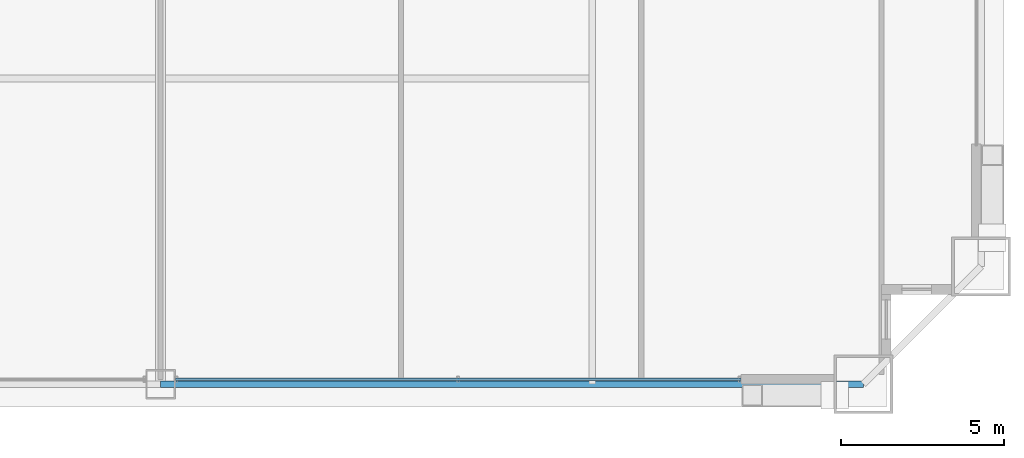
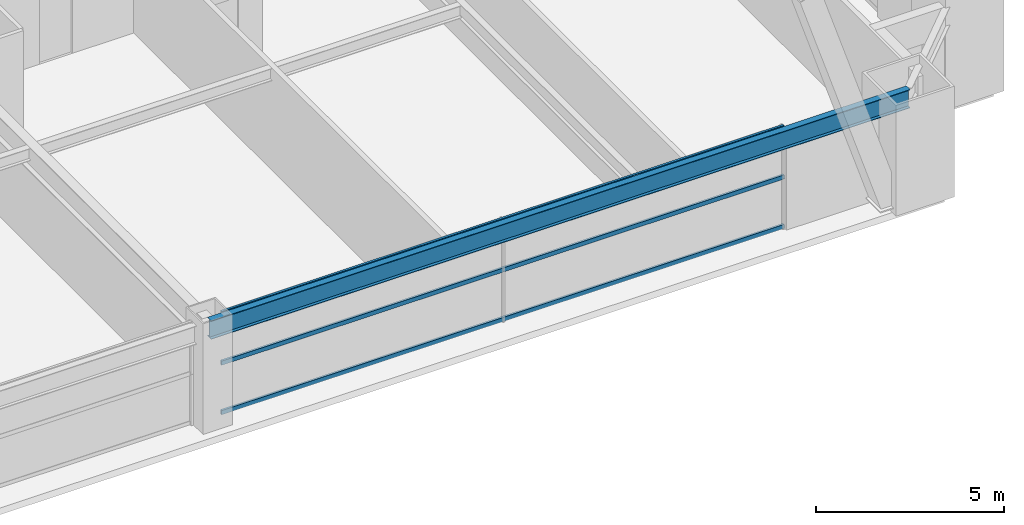
# One storey, part 14 of 43: 3 members, 1 beam, 1 element without a shape of its own.
"""IFC4 building model written with IfcOpenShell, lengths in metres."""

import ifcopenshell
import ifcopenshell.guid

model = None  # the IFC model being written
_history = None  # IfcOwnerHistory: only IFC2X3 demands one
_inside = {}  # id of a spatial element -> (the spatial element, [elements in it])
_under = {}  # id of a project, library or spatial element -> (it, [spatial elements below it])
_declared = {}  # id of a project -> (the project, [libraries it declares])
_typed = {}  # id of a type object -> (the type object, [elements of that type])
_made_of = {}  # id of a material, layer set ... -> (it, [elements and type objects made of it])


def new_model(schema):
    """Start an empty IFC model of exactly this schema.

    Asked for "IFC4X3", IfcOpenShell would pick the latest addendum, in which some entities
    have other attributes; the version numbers below select the first issue.
    IFC2X3 requires an IfcOwnerHistory on every rooted entity: one is made here for all.
    """
    global model, _history
    if schema == "IFC4X3":
        model = ifcopenshell.file(schema_version=(4, 3, 0, 0))
    else:
        model = ifcopenshell.file(schema=schema)
    _inside.clear()
    _under.clear()
    _declared.clear()
    _typed.clear()
    _made_of.clear()
    _history = None
    if model.schema == "IFC2X3":
        org = make("IfcOrganization", Name="unknown")
        user = make(
            "IfcPersonAndOrganization",
            ThePerson=make("IfcPerson", FamilyName="unknown"),
            TheOrganization=org,
        )
        app = make(
            "IfcApplication",
            ApplicationDeveloper=org,
            Version="unknown",
            ApplicationFullName="unknown",
            ApplicationIdentifier="unknown",
        )
        _history = make(
            "IfcOwnerHistory",
            OwningUser=user,
            OwningApplication=app,
            ChangeAction="ADDED",
            CreationDate=0,
        )
    return model


def make(cls, **values):
    """One entity of the class cls with the attributes given. An attribute that is None is left unset."""
    return model.create_entity(
        cls, **{name: value for name, value in values.items() if value is not None}
    )


def rooted(cls, **values):
    """An entity with a GlobalId (a new one), such as an element, a storey or a relation."""
    return make(cls, GlobalId=ifcopenshell.guid.new(), OwnerHistory=_history, **values)


def si_unit(unit_type, name, prefix=None):
    """IfcSIUnit, for example si_unit("LENGTHUNIT", "METRE", prefix="MILLI")."""
    return make("IfcSIUnit", UnitType=unit_type, Prefix=prefix, Name=name)


def assignment(units):
    """IfcUnitAssignment: the units of a project."""
    return None if units is None else make("IfcUnitAssignment", Units=units)


def point(xyz):
    """IfcCartesianPoint."""
    return None if xyz is None else make("IfcCartesianPoint", Coordinates=xyz)


def direction(xyz):
    """IfcDirection."""
    return None if xyz is None else make("IfcDirection", DirectionRatios=xyz)


def frame(location, z_axis=None, x_axis=None):
    """IfcAxis2Placement3D, a coordinate frame: its origin and axes. An axis left out is left unset."""
    return make(
        "IfcAxis2Placement3D",
        Location=point(location),
        Axis=direction(z_axis),
        RefDirection=direction(x_axis),
    )


def frame_2d(location, x_axis=None):
    """IfcAxis2Placement2D, a coordinate frame in the plane: its origin and x axis."""
    return make(
        "IfcAxis2Placement2D", Location=point(location), RefDirection=direction(x_axis)
    )


def origin():
    """The frame at (0, 0, 0) with its axes left unset."""
    return frame((0.0, 0.0, 0.0))


def origin_2d():
    """The frame at (0, 0) in the plane with its x axis left unset."""
    return frame_2d((0.0, 0.0))


def place(relative_to, where):
    """IfcLocalPlacement: puts the frame where relative to a parent placement (None: the world)."""
    return make(
        "IfcLocalPlacement", PlacementRelTo=relative_to, RelativePlacement=where
    )


def context(
    kind, dimensions, precision=None, world=None, true_north=None, identifier=None
):
    """IfcGeometricRepresentationContext, for example the 3D "Model" context."""
    return make(
        "IfcGeometricRepresentationContext",
        ContextIdentifier=identifier,
        ContextType=kind,
        CoordinateSpaceDimension=dimensions,
        Precision=precision,
        WorldCoordinateSystem=world,
        TrueNorth=true_north,
    )


def subcontext(parent, identifier, kind, view, scale=None):
    """IfcGeometricRepresentationSubContext, for example "Body" below "Model"."""
    return make(
        "IfcGeometricRepresentationSubContext",
        ContextIdentifier=identifier,
        ContextType=kind,
        ParentContext=parent,
        TargetScale=scale,
        TargetView=view,
    )


def project(units=None, contexts=None):
    """IfcProject with its units and contexts."""
    return rooted(
        "IfcProject",
        Name="project",
        RepresentationContexts=contexts,
        UnitsInContext=assignment(units),
    )


def spatial(cls, under=None, at=None, **own):
    """A site, building, storey or space (cls), placed at a placement, below another one or the project."""
    s = rooted(cls, ObjectPlacement=at, **own)
    if under is not None:
        _under.setdefault(under.id(), (under, []))[1].append(s)
    return s


def profile(cls, at=None, kind="AREA", **sizes):
    """A parametric profile (cls). Its sizes go by their IFC names, for example OverallWidth=200.0."""
    return make(cls, ProfileType=kind, Position=at, **sizes)


def hollow_rectangle(**sizes):
    """IfcRectangleHollowProfileDef."""
    return profile("IfcRectangleHollowProfileDef", **sizes)


def i_section(**sizes):
    """IfcIShapeProfileDef."""
    return profile("IfcIShapeProfileDef", **sizes)


def extrude(swept, where, along, depth):
    """IfcExtrudedAreaSolid: the profile swept, set in the frame where, extruded along a direction by depth."""
    return make(
        "IfcExtrudedAreaSolid",
        SweptArea=swept,
        Position=where,
        ExtrudedDirection=direction(along),
        Depth=depth,
    )


def shape(context_of_items, identifier, shape_type, items):
    """IfcShapeRepresentation: the items that make up one representation, for example the "Body"."""
    return make(
        "IfcShapeRepresentation",
        ContextOfItems=context_of_items,
        RepresentationIdentifier=identifier,
        RepresentationType=shape_type,
        Items=items,
    )


def source(mapping_origin, context_of_items, identifier, shape_type, items):
    """IfcRepresentationMap: a shape defined once, which mapped items show again and again."""
    return make(
        "IfcRepresentationMap",
        MappingOrigin=mapping_origin,
        MappedRepresentation=shape(context_of_items, identifier, shape_type, items),
    )


def transform(
    local_origin,
    x_axis=None,
    y_axis=None,
    z_axis=None,
    scale=None,
    scale2=None,
    scale3=None,
    uniform=True,
):
    """IfcCartesianTransformationOperator3D, or its non-uniform kind. x_axis, y_axis, z_axis: its Axis1, 2, 3."""
    if uniform:
        return make(
            "IfcCartesianTransformationOperator3D",
            Axis1=direction(x_axis),
            Axis2=direction(y_axis),
            LocalOrigin=point(local_origin),
            Scale=scale,
            Axis3=direction(z_axis),
        )
    return make(
        "IfcCartesianTransformationOperator3DnonUniform",
        Axis1=direction(x_axis),
        Axis2=direction(y_axis),
        LocalOrigin=point(local_origin),
        Scale=scale,
        Axis3=direction(z_axis),
        Scale2=scale2,
        Scale3=scale3,
    )


def mapped(mapping_source, mapping_target):
    """IfcMappedItem: shows the shape of a source again, moved by a transform."""
    return make(
        "IfcMappedItem", MappingSource=mapping_source, MappingTarget=mapping_target
    )


def material(Name=None, Category=None):
    """IfcMaterial."""
    return make("IfcMaterial", Name=Name, Category=Category)


def layer(
    of_material, thickness, ventilated=None, Name=None, Category=None, Priority=None
):
    """IfcMaterialLayer: one layer of a wall or slab, of a material (None: an air gap)."""
    return make(
        "IfcMaterialLayer",
        Material=of_material,
        LayerThickness=thickness,
        IsVentilated=ventilated,
        Name=Name,
        Category=Category,
        Priority=Priority,
    )


def layer_set(layers, Name=None):
    """IfcMaterialLayerSet."""
    return make("IfcMaterialLayerSet", MaterialLayers=layers, LayerSetName=Name)


def material_profile(
    of_material, cross_section, Name=None, Category=None, Priority=None
):
    """IfcMaterialProfile: a cross section and its material."""
    return make(
        "IfcMaterialProfile",
        Name=Name,
        Material=of_material,
        Profile=cross_section,
        Priority=Priority,
        Category=Category,
    )


def profile_set(profiles, Name=None, composite=None):
    """IfcMaterialProfileSet."""
    return make(
        "IfcMaterialProfileSet",
        Name=Name,
        MaterialProfiles=profiles,
        CompositeProfile=composite,
    )


def made_of(thing, what):
    """Note that an element or type object is made of a material, layer set ...; save() writes the relation."""
    if what is not None:
        _made_of.setdefault(what.id(), (what, []))[1].append(thing)
    return thing


def type_object(cls, material=None, **own):
    """A type object (cls), such as IfcWallType, which elements share."""
    return made_of(rooted(cls, **own), material)


def element(
    cls,
    number,
    at=None,
    inside=None,
    cuts=None,
    type_object=None,
    material=None,
    context=None,
    identifier="Body",
    shape_type=None,
    held_by="IfcProductDefinitionShape",
    body=None,
    shapes=None,
    **own,
):
    """One element of the class cls, such as IfcWall. Its Tag is "e" and its number.

    at: its placement. inside: the storey or other place that contains it. cuts: it is an
    opening in that element (IfcRelVoidsElement). A single representation is given by context,
    identifier, shape_type and body (its items); several are given by shapes. held_by: the class
    of the entity that holds the representations. save() writes the other relations.
    """
    e = rooted(cls, Tag="e%d" % number, ObjectPlacement=at, **own)
    if body is not None:
        shapes = [shape(context, identifier, shape_type, body)]
    if shapes is not None:
        e.Representation = make(held_by, Representations=shapes)
    if inside is not None:
        _inside.setdefault(inside.id(), (inside, []))[1].append(e)
    if cuts is not None:
        rooted(
            "IfcRelVoidsElement", RelatingBuildingElement=cuts, RelatedOpeningElement=e
        )
    if type_object is not None:
        _typed.setdefault(type_object.id(), (type_object, []))[1].append(e)
    return made_of(e, material)


def aggregate(whole, parts):
    """IfcRelAggregates: a whole, such as a stair, and the parts it consists of."""
    return rooted("IfcRelAggregates", RelatingObject=whole, RelatedObjects=parts)


def save(model, path):
    """Write the relations noted so far, then the file.

    IfcRelAggregates (storeys below a building ...), IfcRelContainedInSpatialStructure (elements
    in a storey), IfcRelDefinesByType, IfcRelAssociatesMaterial and IfcRelDeclares: one each for
    every whole, place, type object, material and project.
    """
    for whole, parts in _under.values():
        aggregate(whole, parts)
    for where, things in _inside.values():
        rooted(
            "IfcRelContainedInSpatialStructure",
            RelatedElements=things,
            RelatingStructure=where,
        )
    for kind, things in _typed.values():
        rooted("IfcRelDefinesByType", RelatedObjects=things, RelatingType=kind)
    for what, things in _made_of.values():
        rooted("IfcRelAssociatesMaterial", RelatedObjects=things, RelatingMaterial=what)
    for by, libraries in _declared.values():
        rooted("IfcRelDeclares", RelatingContext=by, RelatedDefinitions=libraries)
    model.write(path)


model = new_model("IFC4")

# Units and contexts
model_context = context("Model", 3, precision=1e-05, world=origin(), true_north=direction((0.0, 1.0)))
body_context = subcontext(model_context, "Body", "Model", "MODEL_VIEW")
ifc_project = project(units=[si_unit("LENGTHUNIT", "METRE"), si_unit("AREAUNIT", "SQUARE_METRE"), si_unit("VOLUMEUNIT", "CUBIC_METRE"), si_unit("PLANEANGLEUNIT", "RADIAN"), si_unit("MASSUNIT", "GRAM", prefix="KILO"), si_unit("THERMODYNAMICTEMPERATUREUNIT", "KELVIN"), si_unit("POWERUNIT", "WATT")], contexts=[model_context])

# Site, building, storey
site_placement = place(None, origin())
site = spatial("IfcSite", under=ifc_project, at=site_placement, CompositionType="ELEMENT")
building_placement = place(site_placement, origin())
building = spatial("IfcBuilding", under=site, at=building_placement, Name="Yuzanri Waterfront Tower", CompositionType="ELEMENT")
storey_placement = place(building_placement, frame((0.0, 0.0, 37.800048828125)))
storey = spatial("IfcBuildingStorey", under=building, at=storey_placement, Name="L09", CompositionType="ELEMENT", Elevation=37.800048828125)

# Beam
ifc_material_1 = material(Name="Steel Q355B", Category="steel")
ifc_material_profile_1 = material_profile(ifc_material_1, i_section(OverallWidth=0.199951171875, OverallDepth=0.60009765625, WebThickness=0.010986328125, FlangeThickness=0.01708984375, at=origin_2d()), Name="HN 600x200x11x17")
ifc_profile_set_1 = profile_set([ifc_material_profile_1], Name="Steel Q355B")
beam_type = type_object("IfcBeamType", Name="Perimeter Spandrel Q355B HN 600x200", PredefinedType="SPANDREL", material=ifc_profile_set_1)
shared_shape_1 = source(origin(), body_context, "Body", "SweptSolid", [
    extrude(i_section(OverallWidth=0.199951171875, OverallDepth=0.60009765625, WebThickness=0.010986328125, FlangeThickness=0.01708984375, at=origin_2d()), origin(), (0.0, 0.0, 1.0), 21.5),
])
beam_placement = place(storey_placement, frame((37.0, 0.699951171875, 3.02001953125), z_axis=(1.0, 0.0, 0.0), x_axis=(0.0, 1.0, 0.0)))
element("IfcBeam", 1, at=beam_placement, inside=storey, type_object=beam_type, Name="L09 Perimeter Spandrel S2-S3", PredefinedType="SPANDREL", context=body_context, shape_type="MappedRepresentation", body=[
    mapped(shared_shape_1, transform((0.0, 0.0, 0.0), scale=1.0)),
])

# Curtain wall, members
ifc_material_2 = material(Name="Anodized Architectural Bronze", Category="metal")
ifc_layer = layer(ifc_material_2, 0.159912109375)
ifc_layer_set = layer_set([ifc_layer], Name="Anodized Architectural Bronze")
curtain_wall_type = type_object("IfcCurtainWallType", Name="Anodized Bronze Hotel Lower-Tier Recessed Unitized Curtain Wall 8100", PredefinedType="NOTDEFINED", material=ifc_layer_set)
curtain_wall_placement = place(storey_placement, origin())
curtain_wall = element("IfcCurtainWall", 2, at=curtain_wall_placement, inside=storey, type_object=curtain_wall_type, Name="L09 Curtain Wall CW-L09-SR", PredefinedType="NOTDEFINED")
ifc_material_3 = material(Name="Anodized Architectural Bronze", Category="metal")
ifc_material_profile_2 = material_profile(ifc_material_3, hollow_rectangle(XDim=0.070068359375, YDim=0.135009765625, WallThickness=0.00341796875, at=origin_2d()), Name="CWT 70x135")
ifc_profile_set_2 = profile_set([ifc_material_profile_2], Name="Anodized Architectural Bronze")
member_type = type_object("IfcMemberType", Name="Anodized Bronze Standard Curtain-Wall Transom 70x135", PredefinedType="USERDEFINED", material=ifc_profile_set_2)
shared_shape_2 = source(origin(), body_context, "Body", "SweptSolid", [
    extrude(hollow_rectangle(XDim=0.070068359375, YDim=0.135009765625, WallThickness=0.00341796875, at=origin_2d()), origin(), (0.0, 0.0, 1.0), 17.300048828125),
])
member_1_placement = place(storey_placement, frame((37.449951171875, 0.85009765625, 0.050048828125), z_axis=(1.0, 0.0, 0.0), x_axis=(0.0, 1.0, 0.0)))
member_1 = element("IfcMember", 3, at=member_1_placement, type_object=member_type, Name="CW-L09-SR Transom 1", ObjectType="TRANSOM", PredefinedType="USERDEFINED", context=body_context, shape_type="MappedRepresentation", body=[
    mapped(shared_shape_2, transform((0.0, 0.0, 0.0), scale=1.0)),
])
member_2_placement = place(storey_placement, frame((37.449951171875, 0.85009765625, 1.659912109375), z_axis=(1.0, 0.0, 0.0), x_axis=(0.0, 1.0, 0.0)))
member_2 = element("IfcMember", 4, at=member_2_placement, type_object=member_type, Name="CW-L09-SR Transom 2", ObjectType="TRANSOM", PredefinedType="USERDEFINED", context=body_context, shape_type="MappedRepresentation", body=[
    mapped(shared_shape_2, transform((0.0, 0.0, 0.0), scale=1.0)),
])
member_3_placement = place(storey_placement, frame((37.449951171875, 0.85009765625, 3.27001953125), z_axis=(1.0, 0.0, 0.0), x_axis=(0.0, 1.0, 0.0)))
member_3 = element("IfcMember", 5, at=member_3_placement, type_object=member_type, Name="CW-L09-SR Transom 3", ObjectType="TRANSOM", PredefinedType="USERDEFINED", context=body_context, shape_type="MappedRepresentation", body=[
    mapped(shared_shape_2, transform((0.0, 0.0, 0.0), scale=1.0)),
])
aggregate(curtain_wall, [member_1, member_2, member_3])

save(model, "model.ifc")
